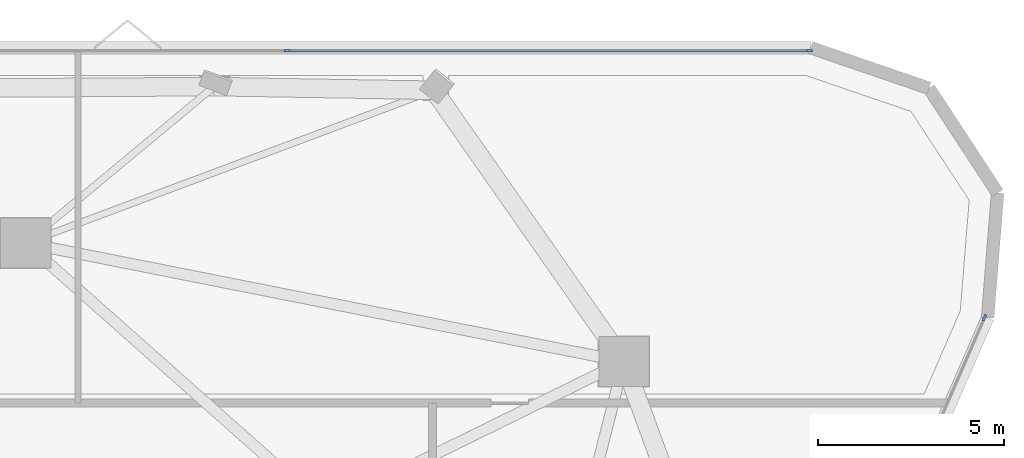
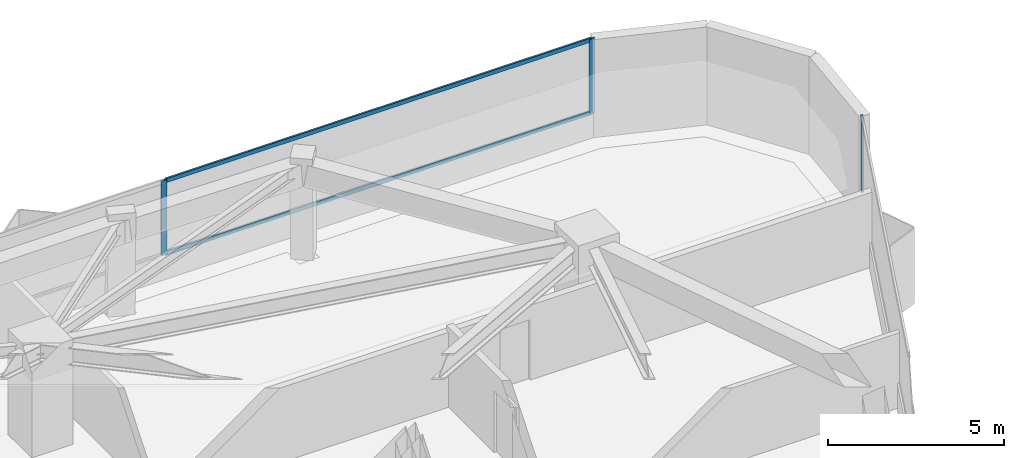
# One storey, part 8 of 13: 5 members, 2 elements without a shape of their own.
"""IFC4 building model written with IfcOpenShell, lengths in metres."""

import ifcopenshell
import ifcopenshell.guid

model = None  # the IFC model being written
_history = None  # IfcOwnerHistory: only IFC2X3 demands one
_inside = {}  # id of a spatial element -> (the spatial element, [elements in it])
_under = {}  # id of a project, library or spatial element -> (it, [spatial elements below it])
_declared = {}  # id of a project -> (the project, [libraries it declares])
_typed = {}  # id of a type object -> (the type object, [elements of that type])
_made_of = {}  # id of a material, layer set ... -> (it, [elements and type objects made of it])


def new_model(schema):
    """Start an empty IFC model of exactly this schema.

    Asked for "IFC4X3", IfcOpenShell would pick the latest addendum, in which some entities
    have other attributes; the version numbers below select the first issue.
    IFC2X3 requires an IfcOwnerHistory on every rooted entity: one is made here for all.
    """
    global model, _history
    if schema == "IFC4X3":
        model = ifcopenshell.file(schema_version=(4, 3, 0, 0))
    else:
        model = ifcopenshell.file(schema=schema)
    _inside.clear()
    _under.clear()
    _declared.clear()
    _typed.clear()
    _made_of.clear()
    _history = None
    if model.schema == "IFC2X3":
        org = make("IfcOrganization", Name="unknown")
        user = make(
            "IfcPersonAndOrganization",
            ThePerson=make("IfcPerson", FamilyName="unknown"),
            TheOrganization=org,
        )
        app = make(
            "IfcApplication",
            ApplicationDeveloper=org,
            Version="unknown",
            ApplicationFullName="unknown",
            ApplicationIdentifier="unknown",
        )
        _history = make(
            "IfcOwnerHistory",
            OwningUser=user,
            OwningApplication=app,
            ChangeAction="ADDED",
            CreationDate=0,
        )
    return model


def make(cls, **values):
    """One entity of the class cls with the attributes given. An attribute that is None is left unset."""
    return model.create_entity(
        cls, **{name: value for name, value in values.items() if value is not None}
    )


def rooted(cls, **values):
    """An entity with a GlobalId (a new one), such as an element, a storey or a relation."""
    return make(cls, GlobalId=ifcopenshell.guid.new(), OwnerHistory=_history, **values)


def si_unit(unit_type, name, prefix=None):
    """IfcSIUnit, for example si_unit("LENGTHUNIT", "METRE", prefix="MILLI")."""
    return make("IfcSIUnit", UnitType=unit_type, Prefix=prefix, Name=name)


def assignment(units):
    """IfcUnitAssignment: the units of a project."""
    return None if units is None else make("IfcUnitAssignment", Units=units)


def point(xyz):
    """IfcCartesianPoint."""
    return None if xyz is None else make("IfcCartesianPoint", Coordinates=xyz)


def direction(xyz):
    """IfcDirection."""
    return None if xyz is None else make("IfcDirection", DirectionRatios=xyz)


def frame(location, z_axis=None, x_axis=None):
    """IfcAxis2Placement3D, a coordinate frame: its origin and axes. An axis left out is left unset."""
    return make(
        "IfcAxis2Placement3D",
        Location=point(location),
        Axis=direction(z_axis),
        RefDirection=direction(x_axis),
    )


def frame_2d(location, x_axis=None):
    """IfcAxis2Placement2D, a coordinate frame in the plane: its origin and x axis."""
    return make(
        "IfcAxis2Placement2D", Location=point(location), RefDirection=direction(x_axis)
    )


def origin():
    """The frame at (0, 0, 0) with its axes left unset."""
    return frame((0.0, 0.0, 0.0))


def origin_2d():
    """The frame at (0, 0) in the plane with its x axis left unset."""
    return frame_2d((0.0, 0.0))


def place(relative_to, where):
    """IfcLocalPlacement: puts the frame where relative to a parent placement (None: the world)."""
    return make(
        "IfcLocalPlacement", PlacementRelTo=relative_to, RelativePlacement=where
    )


def context(
    kind, dimensions, precision=None, world=None, true_north=None, identifier=None
):
    """IfcGeometricRepresentationContext, for example the 3D "Model" context."""
    return make(
        "IfcGeometricRepresentationContext",
        ContextIdentifier=identifier,
        ContextType=kind,
        CoordinateSpaceDimension=dimensions,
        Precision=precision,
        WorldCoordinateSystem=world,
        TrueNorth=true_north,
    )


def subcontext(parent, identifier, kind, view, scale=None):
    """IfcGeometricRepresentationSubContext, for example "Body" below "Model"."""
    return make(
        "IfcGeometricRepresentationSubContext",
        ContextIdentifier=identifier,
        ContextType=kind,
        ParentContext=parent,
        TargetScale=scale,
        TargetView=view,
    )


def project(units=None, contexts=None):
    """IfcProject with its units and contexts."""
    return rooted(
        "IfcProject",
        Name="project",
        RepresentationContexts=contexts,
        UnitsInContext=assignment(units),
    )


def spatial(cls, under=None, at=None, **own):
    """A site, building, storey or space (cls), placed at a placement, below another one or the project."""
    s = rooted(cls, ObjectPlacement=at, **own)
    if under is not None:
        _under.setdefault(under.id(), (under, []))[1].append(s)
    return s


def profile(cls, at=None, kind="AREA", **sizes):
    """A parametric profile (cls). Its sizes go by their IFC names, for example OverallWidth=200.0."""
    return make(cls, ProfileType=kind, Position=at, **sizes)


def rectangle(**sizes):
    """IfcRectangleProfileDef."""
    return profile("IfcRectangleProfileDef", **sizes)


def extrude(swept, where, along, depth):
    """IfcExtrudedAreaSolid: the profile swept, set in the frame where, extruded along a direction by depth."""
    return make(
        "IfcExtrudedAreaSolid",
        SweptArea=swept,
        Position=where,
        ExtrudedDirection=direction(along),
        Depth=depth,
    )


def shape(context_of_items, identifier, shape_type, items):
    """IfcShapeRepresentation: the items that make up one representation, for example the "Body"."""
    return make(
        "IfcShapeRepresentation",
        ContextOfItems=context_of_items,
        RepresentationIdentifier=identifier,
        RepresentationType=shape_type,
        Items=items,
    )


def material(Name=None, Category=None):
    """IfcMaterial."""
    return make("IfcMaterial", Name=Name, Category=Category)


def layer(
    of_material, thickness, ventilated=None, Name=None, Category=None, Priority=None
):
    """IfcMaterialLayer: one layer of a wall or slab, of a material (None: an air gap)."""
    return make(
        "IfcMaterialLayer",
        Material=of_material,
        LayerThickness=thickness,
        IsVentilated=ventilated,
        Name=Name,
        Category=Category,
        Priority=Priority,
    )


def layer_set(layers, Name=None):
    """IfcMaterialLayerSet."""
    return make("IfcMaterialLayerSet", MaterialLayers=layers, LayerSetName=Name)


def material_profile(
    of_material, cross_section, Name=None, Category=None, Priority=None
):
    """IfcMaterialProfile: a cross section and its material."""
    return make(
        "IfcMaterialProfile",
        Name=Name,
        Material=of_material,
        Profile=cross_section,
        Priority=Priority,
        Category=Category,
    )


def profile_set(profiles, Name=None, composite=None):
    """IfcMaterialProfileSet."""
    return make(
        "IfcMaterialProfileSet",
        Name=Name,
        MaterialProfiles=profiles,
        CompositeProfile=composite,
    )


def made_of(thing, what):
    """Note that an element or type object is made of a material, layer set ...; save() writes the relation."""
    if what is not None:
        _made_of.setdefault(what.id(), (what, []))[1].append(thing)
    return thing


def type_object(cls, material=None, **own):
    """A type object (cls), such as IfcWallType, which elements share."""
    return made_of(rooted(cls, **own), material)


def element(
    cls,
    number,
    at=None,
    inside=None,
    cuts=None,
    type_object=None,
    material=None,
    context=None,
    identifier="Body",
    shape_type=None,
    held_by="IfcProductDefinitionShape",
    body=None,
    shapes=None,
    **own,
):
    """One element of the class cls, such as IfcWall. Its Tag is "e" and its number.

    at: its placement. inside: the storey or other place that contains it. cuts: it is an
    opening in that element (IfcRelVoidsElement). A single representation is given by context,
    identifier, shape_type and body (its items); several are given by shapes. held_by: the class
    of the entity that holds the representations. save() writes the other relations.
    """
    e = rooted(cls, Tag="e%d" % number, ObjectPlacement=at, **own)
    if body is not None:
        shapes = [shape(context, identifier, shape_type, body)]
    if shapes is not None:
        e.Representation = make(held_by, Representations=shapes)
    if inside is not None:
        _inside.setdefault(inside.id(), (inside, []))[1].append(e)
    if cuts is not None:
        rooted(
            "IfcRelVoidsElement", RelatingBuildingElement=cuts, RelatedOpeningElement=e
        )
    if type_object is not None:
        _typed.setdefault(type_object.id(), (type_object, []))[1].append(e)
    return made_of(e, material)


def aggregate(whole, parts):
    """IfcRelAggregates: a whole, such as a stair, and the parts it consists of."""
    return rooted("IfcRelAggregates", RelatingObject=whole, RelatedObjects=parts)


def save(model, path):
    """Write the relations noted so far, then the file.

    IfcRelAggregates (storeys below a building ...), IfcRelContainedInSpatialStructure (elements
    in a storey), IfcRelDefinesByType, IfcRelAssociatesMaterial and IfcRelDeclares: one each for
    every whole, place, type object, material and project.
    """
    for whole, parts in _under.values():
        aggregate(whole, parts)
    for where, things in _inside.values():
        rooted(
            "IfcRelContainedInSpatialStructure",
            RelatedElements=things,
            RelatingStructure=where,
        )
    for kind, things in _typed.values():
        rooted("IfcRelDefinesByType", RelatedObjects=things, RelatingType=kind)
    for what, things in _made_of.values():
        rooted("IfcRelAssociatesMaterial", RelatedObjects=things, RelatingMaterial=what)
    for by, libraries in _declared.values():
        rooted("IfcRelDeclares", RelatingContext=by, RelatedDefinitions=libraries)
    model.write(path)


model = new_model("IFC4")

# Units and contexts
model_context = context("Model", 3, precision=1e-05, world=origin(), true_north=direction((0.0, 1.0)))
body_context = subcontext(model_context, "Body", "Model", "MODEL_VIEW")
ifc_project = project(units=[si_unit("LENGTHUNIT", "METRE"), si_unit("AREAUNIT", "SQUARE_METRE"), si_unit("VOLUMEUNIT", "CUBIC_METRE"), si_unit("PLANEANGLEUNIT", "RADIAN"), si_unit("MASSUNIT", "GRAM", prefix="KILO")], contexts=[model_context])

# Site, building, storey
site_placement = place(None, origin())
site = spatial("IfcSite", under=ifc_project, at=site_placement, CompositionType="ELEMENT")
building_placement = place(site_placement, origin())
building = spatial("IfcBuilding", under=site, at=building_placement, Name="Talyreon Biosciences Tower", CompositionType="ELEMENT")
storey_placement = place(building_placement, frame((0.0, 0.0, 190.35009765625)))
storey = spatial("IfcBuildingStorey", under=building, at=storey_placement, Name="L50", CompositionType="ELEMENT", Elevation=190.35009765625)

# Curtain wall, members
ifc_material_1 = material(Name="Thermally broken aluminium and low-E glazing", Category="aluminium")
ifc_layer = layer(ifc_material_1, 0.179931640625)
ifc_layer_set = layer_set([ifc_layer], Name="Thermally broken aluminium and low-E glazing")
curtain_wall_type = type_object("IfcCurtainWallType", Name="CurtainWall_Zone4Optical", PredefinedType="NOTDEFINED", material=ifc_layer_set)
curtain_wall_1_placement = place(storey_placement, origin())
curtain_wall_1 = element("IfcCurtainWall", 1, at=curtain_wall_1_placement, inside=storey, type_object=curtain_wall_type, Name="L50 Unitised Curtain Wall FCW-L50-04", PredefinedType="NOTDEFINED")
ifc_material_2 = material(Name="Anodised thermally broken aluminium", Category="aluminium")
ifc_material_profile_1 = material_profile(ifc_material_2, rectangle(XDim=0.06494140625, YDim=0.179931640625, at=origin_2d()), Name="ALUM MULLION 65x180")
ifc_profile_set_1 = profile_set([ifc_material_profile_1], Name="Anodised thermally broken aluminium")
member_type_1 = type_object("IfcMemberType", Name="CWMullion_65x180", PredefinedType="MULLION", material=ifc_profile_set_1)
member_1_placement = place(storey_placement, frame((73.043701171875, 86.971923828125, 0.809814453125), z_axis=(0.0, 0.0, 1.0), x_axis=(0.0, 1.0, 0.0)))
member_1 = element("IfcMember", 2, at=member_1_placement, type_object=member_type_1, Name="CW5 mullion 3", PredefinedType="MULLION", context=body_context, shape_type="SweptSolid", body=[
    extrude(rectangle(XDim=0.06494140625, YDim=0.179931640625, at=origin_2d()), origin(), (0.0, 0.0, 1.0), 2.590087890625),
])
member_2_placement = place(storey_placement, frame((87.098388671875, 86.971923828125, 0.809814453125), z_axis=(0.0, 0.0, 1.0), x_axis=(0.0, 1.0, 0.0)))
member_2 = element("IfcMember", 3, at=member_2_placement, type_object=member_type_1, Name="CW5 mullion 4", PredefinedType="MULLION", context=body_context, shape_type="SweptSolid", body=[
    extrude(rectangle(XDim=0.06494140625, YDim=0.179931640625, at=origin_2d()), origin(), (0.0, 0.0, 1.0), 2.590087890625),
])

# Curtain wall, member
curtain_wall_2_placement = place(storey_placement, origin())
curtain_wall_2 = element("IfcCurtainWall", 4, at=curtain_wall_2_placement, inside=storey, type_object=curtain_wall_type, Name="L50 Unitised Curtain Wall FCW-L50-08", PredefinedType="NOTDEFINED")
member_3_placement = place(storey_placement, frame((91.812744140625, 79.780029296875, 0.809814453125), z_axis=(0.0, 0.0, 1.0), x_axis=(0.917010897502, -0.398862148946, 0.0)))
member_3 = element("IfcMember", 5, at=member_3_placement, type_object=member_type_1, Name="CW5 mullion 1", PredefinedType="MULLION", context=body_context, shape_type="SweptSolid", body=[
    extrude(rectangle(XDim=0.06494140625, YDim=0.179931640625, at=origin_2d()), origin(), (0.0, 0.0, 1.0), 2.590087890625),
])
aggregate(curtain_wall_2, [member_3])

# Member
ifc_material_profile_2 = material_profile(ifc_material_2, rectangle(XDim=0.06494140625, YDim=0.139892578125, at=origin_2d()), Name="ALUM TRANSOM 65x140")
ifc_profile_set_2 = profile_set([ifc_material_profile_2], Name="Anodised thermally broken aluminium")
member_type_2 = type_object("IfcMemberType", Name="CWTransom_65x140", PredefinedType="USERDEFINED", material=ifc_profile_set_2)
member_4_placement = place(storey_placement, frame((73.076171875, 86.971923828125, 0.84228515625), z_axis=(1.0, 0.0, 0.0), x_axis=(0.0, 1.0, 0.0)))
member_4 = element("IfcMember", 6, at=member_4_placement, type_object=member_type_2, Name="CW5 transom 3.1", ObjectType="TRANSOM", PredefinedType="USERDEFINED", context=body_context, shape_type="SweptSolid", body=[
    extrude(rectangle(XDim=0.06494140625, YDim=0.139892578125, at=origin_2d()), origin(), (0.0, 0.0, 1.0), 13.98974609375),
])

member_5_placement = place(storey_placement, frame((73.076171875, 86.971923828125, 3.367431640625), z_axis=(1.0, 0.0, 0.0), x_axis=(0.0, 1.0, 0.0)))
member_5 = element("IfcMember", 7, at=member_5_placement, type_object=member_type_2, Name="CW5 transom 3.2", ObjectType="TRANSOM", PredefinedType="USERDEFINED", context=body_context, shape_type="SweptSolid", body=[
    extrude(rectangle(XDim=0.06494140625, YDim=0.139892578125, at=origin_2d()), origin(), (0.0, 0.0, 1.0), 13.98974609375),
])

aggregate(curtain_wall_1, [member_1, member_2, member_4, member_5])

save(model, "model.ifc")
